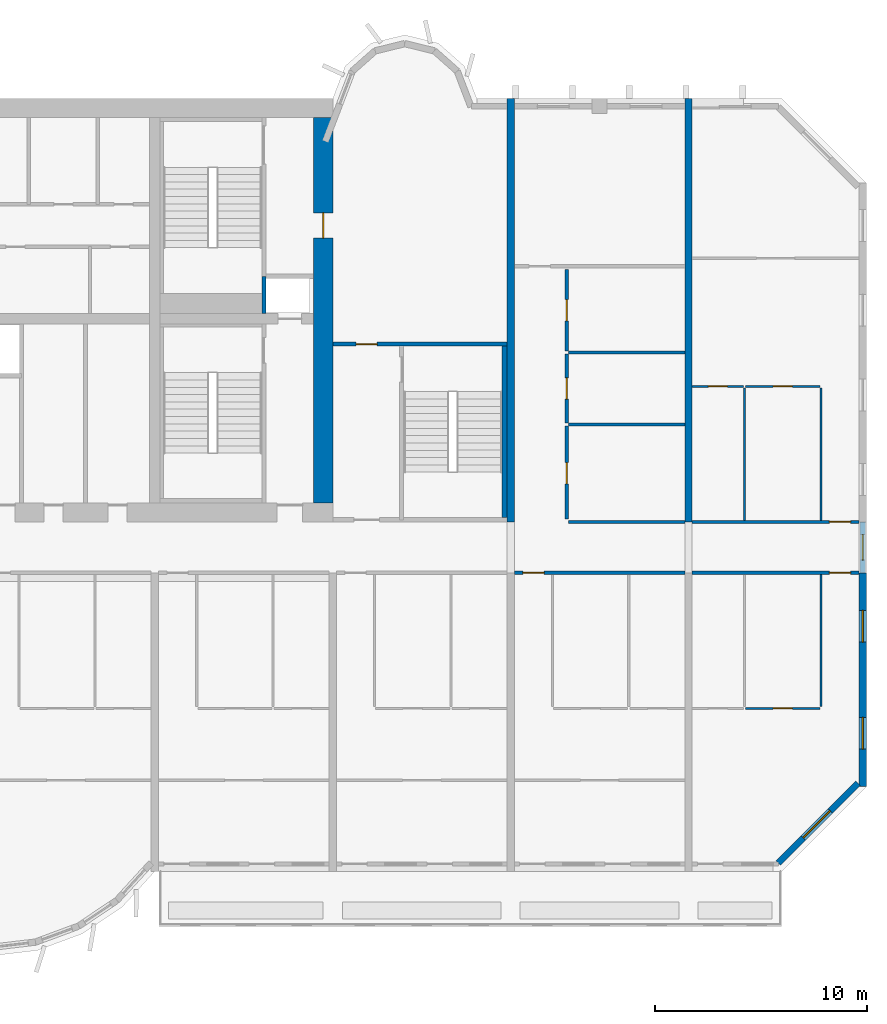
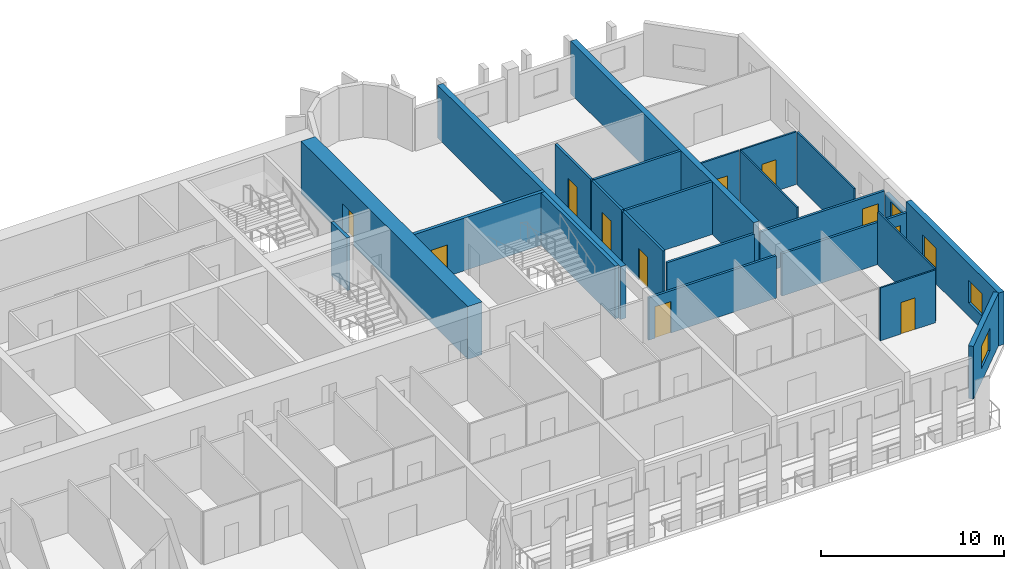
# One storey, part 10 of 15: 24 walls, 11 doors, 4 windows, 15 openings.
"""IFC4 building model written with IfcOpenShell, lengths in metres."""

from ifc_helpers import new_model, si_unit, direction, frame, frame_2d, origin, place, context, subcontext, project, spatial, rectangle, extrude, source, transform, mapped, material, layer, layer_set, type_object, element, fill, save


model = new_model("IFC4")

# Units and contexts
model_context = context("Model", 3, precision=1e-05, world=origin(), true_north=direction((0.0, 1.0)))
body_context = subcontext(model_context, "Body", "Model", "MODEL_VIEW")
ifc_project = project(units=[si_unit("LENGTHUNIT", "METRE"), si_unit("AREAUNIT", "SQUARE_METRE"), si_unit("VOLUMEUNIT", "CUBIC_METRE"), si_unit("PLANEANGLEUNIT", "RADIAN"), si_unit("MASSUNIT", "GRAM", prefix="KILO")], contexts=[model_context])

# Site, building, storey
site_placement = place(None, origin())
site = spatial("IfcSite", under=ifc_project, at=site_placement, CompositionType="ELEMENT")
building_placement = place(site_placement, origin())
building = spatial("IfcBuilding", under=site, at=building_placement, Name="Vanashikhar Sky Hotel", CompositionType="ELEMENT")
storey_placement = place(building_placement, frame((0.0, 0.0, 133.199951171875)))
storey = spatial("IfcBuildingStorey", under=building, at=storey_placement, Name="L32", CompositionType="ELEMENT", Elevation=133.199951171875)

# Wall, opening, door
ifc_material_1 = material(Name="Concrete M70", Category="concrete")
ifc_layer_1 = layer(ifc_material_1, 0.89990234375)
ifc_layer_set_1 = layer_set([ifc_layer_1], Name="RC core shell wall 900 Concrete M70")
wall_type_1 = type_object("IfcWallType", Name="RC core shell wall 900 Concrete M70", PredefinedType="SHEAR", material=ifc_layer_set_1)
shared_shape_1 = source(origin(), body_context, "Body", "SweptSolid", [
    extrude(rectangle(XDim=18.2001953125, YDim=0.89990234375, at=frame_2d((9.10009765625, 0.0))), origin(), (0.0, 0.0, 1.0), 3.52001953125),
])
wall_1_placement = place(storey_placement, frame((75.14990234375, 22.89990234375, 0.0), z_axis=(0.0, 0.0, 1.0), x_axis=(0.0, 1.0, 0.0)))
wall_1 = element("IfcWall", 1, at=wall_1_placement, inside=storey, type_object=wall_type_1, Name="KW-L32-KE", PredefinedType="SHEAR", context=body_context, shape_type="MappedRepresentation", body=[
    mapped(shared_shape_1, transform((0.0, 0.0, 0.0), scale=1.0)),
])
shared_shape_2 = source(origin(), body_context, "Body", "SweptSolid", [
    extrude(rectangle(XDim=1.199951171875, YDim=2.10009765625, at=frame_2d((0.60009765625, 1.050048828125))), frame((0.0, 0.4599609375, 0.0), z_axis=(0.0, -1.0, 0.0), x_axis=(1.0, 0.0, 0.0)), (0.0, 0.0, 1.0), 0.919921875),
])
opening_1_placement = place(wall_1_placement, frame((12.5, 0.0, 0.0)))
opening_1 = element("IfcOpeningElement", 2, at=opening_1_placement, cuts=wall_1, Name="Opening DC-4-D", PredefinedType="OPENING", context=body_context, shape_type="MappedRepresentation", body=[
    mapped(shared_shape_2, transform((0.0, 0.0, 0.0), scale=1.0)),
])
ifc_material_2 = material(Name="Steel", Category="steel")
door_type_1 = type_object("IfcDoorType", Name="Service door 1200 FD120", OperationType="NOTDEFINED", PredefinedType="DOOR", material=ifc_material_2)
shared_shape_3 = source(origin(), body_context, "Body", "SweptSolid", [
    extrude(rectangle(XDim=1.199951171875, YDim=2.10009765625, at=frame_2d((0.60009765625, 1.050048828125))), frame((0.0, 0.02490234375, 0.0), z_axis=(0.0, -1.0, 0.0), x_axis=(1.0, 0.0, 0.0)), (0.0, 0.0, 1.0), 0.050048828125),
])
door_1_placement = place(opening_1_placement, origin())
door_1 = element("IfcDoor", 3, at=door_1_placement, inside=storey, type_object=door_type_1, Name="Service door 1200 FD120", OperationType="SINGLE_SWING_RIGHT", OverallHeight=2.10009765625, OverallWidth=1.199951171875, PredefinedType="DOOR", context=body_context, shape_type="MappedRepresentation", body=[
    mapped(shared_shape_3, transform((0.0, 0.0, 0.0), scale=1.0)),
])
fill(opening_1, door_1)

# Wall, openings, windows
ifc_layer_2 = layer(ifc_material_1, 0.35009765625)
ifc_layer_set_2 = layer_set([ifc_layer_2], Name="RC shear wall 350 Concrete M70")
wall_type_2 = type_object("IfcWallType", Name="RC shear wall 350 Concrete M70", PredefinedType="SHEAR", material=ifc_layer_set_2)
shared_shape_4 = source(origin(), body_context, "Body", "SweptSolid", [
    extrude(rectangle(XDim=10.10009765625, YDim=0.35009765625, at=frame_2d((5.050048828125, 0.0))), origin(), (0.0, 0.0, 1.0), 3.52001953125),
])
wall_2_placement = place(storey_placement, frame((100.625, 9.5, 0.0), z_axis=(0.0, 0.0, 1.0), x_axis=(0.0, 1.0, 0.0)))
wall_2 = element("IfcWall", 4, at=wall_2_placement, inside=storey, type_object=wall_type_2, Name="CW-L32-XW13-1", PredefinedType="SHEAR", context=body_context, shape_type="MappedRepresentation", body=[
    mapped(shared_shape_4, transform((0.0, 0.0, 0.0), scale=1.0)),
])
shared_shape_5 = source(origin(), body_context, "Body", "SweptSolid", [
    extrude(rectangle(XDim=1.5, YDim=1.5, at=frame_2d((0.75, 0.75))), frame((0.0, 0.18505859375, 0.0), z_axis=(0.0, -1.0, 0.0), x_axis=(1.0, 0.0, 0.0)), (0.0, 0.0, 1.0), 0.3701171875),
])
opening_2_placement = place(wall_2_placement, frame((1.77490234375, 0.0, 0.89990234375)))
opening_2 = element("IfcOpeningElement", 5, at=opening_2_placement, cuts=wall_2, Name="Opening WN-1", PredefinedType="OPENING", context=body_context, shape_type="MappedRepresentation", body=[
    mapped(shared_shape_5, transform((0.0, 0.0, 0.0), scale=1.0)),
])
opening_3_placement = place(wall_2_placement, frame((6.824951171875, 0.0, 0.89990234375)))
opening_3 = element("IfcOpeningElement", 6, at=opening_3_placement, cuts=wall_2, Name="Opening WN-1", PredefinedType="OPENING", context=body_context, shape_type="MappedRepresentation", body=[
    mapped(shared_shape_5, transform((0.0, 0.0, 0.0), scale=1.0)),
])
ifc_material_3 = material(Name="Glass", Category="glass")
window_type_1 = type_object("IfcWindowType", Name="Window 1500 x 1500", PartitioningType="SINGLE_PANEL", PredefinedType="WINDOW", material=ifc_material_3)
shared_shape_6 = source(origin(), body_context, "Body", "SweptSolid", [
    extrude(rectangle(XDim=1.5, YDim=1.5, at=frame_2d((0.75, 0.75))), frame((0.0, 0.030029296875, 0.0), z_axis=(0.0, -1.0, 0.0), x_axis=(1.0, 0.0, 0.0)), (0.0, 0.0, 1.0), 0.06005859375),
])
window_1_placement = place(opening_2_placement, origin())
window_1 = element("IfcWindow", 7, at=window_1_placement, inside=storey, type_object=window_type_1, Name="Window WN-1", OverallHeight=1.5, OverallWidth=1.5, PartitioningType="SINGLE_PANEL", PredefinedType="WINDOW", context=body_context, shape_type="MappedRepresentation", body=[
    mapped(shared_shape_6, transform((0.0, 0.0, 0.0), scale=1.0)),
])
fill(opening_2, window_1)
window_2_placement = place(opening_3_placement, origin())
window_2 = element("IfcWindow", 8, at=window_2_placement, inside=storey, type_object=window_type_1, Name="Window WN-1", OverallHeight=1.5, OverallWidth=1.5, PartitioningType="SINGLE_PANEL", PredefinedType="WINDOW", context=body_context, shape_type="MappedRepresentation", body=[
    mapped(shared_shape_6, transform((0.0, 0.0, 0.0), scale=1.0)),
])
fill(opening_3, window_2)

# Walls
shared_shape_7 = source(origin(), body_context, "Body", "SweptSolid", [
    extrude(rectangle(XDim=20.0, YDim=0.35009765625, at=frame_2d((10.0, 0.0))), origin(), (0.0, 0.0, 1.0), 3.52001953125),
])
for number, where, z_axis, x_axis, name in (
    (9, (84.0, 22.0, 0.0), (0.0, 0.0, 1.0), (0.0, 1.0, 0.0), "CW-L32-XW11-2"),
    (10, (92.39990234375, 22.0, 0.0), (0.0, 0.0, 1.0), (0.0, 1.0, 0.0), "CW-L32-XW12-2"),
):
    element("IfcWall", number, at=place(storey_placement, frame(where, z_axis=z_axis, x_axis=x_axis)), inside=storey, type_object=wall_type_2, Name=name, PredefinedType="SHEAR", context=body_context, shape_type="MappedRepresentation", body=[
        mapped(shared_shape_7, transform((0.0, 0.0, 0.0), scale=1.0)),
    ])

# Wall, opening, window
ifc_material_4 = material(Name="Concrete M50", Category="concrete")
ifc_layer_3 = layer(ifc_material_4, 0.300048828125)
ifc_layer_set_3 = layer_set([ifc_layer_3], Name="Lobe wall 300")
wall_type_3 = type_object("IfcWallType", Name="Lobe wall 300", PredefinedType="SOLIDWALL", material=ifc_layer_set_3)
shared_shape_8 = source(origin(), body_context, "Body", "SweptSolid", [
    extrude(rectangle(XDim=5.32568359375, YDim=0.300048828125, at=frame_2d((2.662841796875, 0.0))), origin(), (0.0, 0.0, 1.0), 3.52001953125),
])
wall_3_placement = place(storey_placement, frame((96.63427734375, 5.89990234375, 0.0), z_axis=(0.0, 0.0, 1.0), x_axis=(0.707083859269, 0.707129702361, 0.0)))
wall_3 = element("IfcWall", 11, at=wall_3_placement, inside=storey, type_object=wall_type_3, Name="Corner wall", PredefinedType="SOLIDWALL", context=body_context, shape_type="MappedRepresentation", body=[
    mapped(shared_shape_8, transform((0.0, 0.0, 0.0), scale=1.0)),
])
shared_shape_9 = source(origin(), body_context, "Body", "SweptSolid", [
    extrude(rectangle(XDim=1.800048828125, YDim=1.5, at=frame_2d((0.89990234375, 0.75))), frame((0.0, 0.16015625, 0.0), z_axis=(0.0, -1.0, 0.0), x_axis=(1.0, 0.0, 0.0)), (0.0, 0.0, 1.0), 0.320068359375),
])
opening_4_placement = place(wall_3_placement, frame((1.671875, 0.0, 0.89990234375)))
opening_4 = element("IfcOpeningElement", 12, at=opening_4_placement, cuts=wall_3, Name="Opening WN-4", PredefinedType="OPENING", context=body_context, shape_type="MappedRepresentation", body=[
    mapped(shared_shape_9, transform((0.0, 0.0, 0.0), scale=1.0)),
])
window_type_2 = type_object("IfcWindowType", Name="Corner window 1800 x 1500", PartitioningType="SINGLE_PANEL", PredefinedType="WINDOW", material=ifc_material_3)
shared_shape_10 = source(origin(), body_context, "Body", "SweptSolid", [
    extrude(rectangle(XDim=1.800048828125, YDim=1.5, at=frame_2d((0.89990234375, 0.75))), frame((0.0, 0.030029296875, 0.0), z_axis=(0.0, -1.0, 0.0), x_axis=(1.0, 0.0, 0.0)), (0.0, 0.0, 1.0), 0.06005859375),
])
window_3_placement = place(opening_4_placement, origin())
window_3 = element("IfcWindow", 13, at=window_3_placement, inside=storey, type_object=window_type_2, Name="Window WN-4", OverallHeight=1.5, OverallWidth=1.800048828125, PartitioningType="SINGLE_PANEL", PredefinedType="WINDOW", context=body_context, shape_type="MappedRepresentation", body=[
    mapped(shared_shape_10, transform((0.0, 0.0, 0.0), scale=1.0)),
])
fill(opening_4, window_3)

ifc_layer_4 = layer(ifc_material_4, 0.25)
ifc_layer_set_4 = layer_set([ifc_layer_4], Name="Rear and end board-marked wall 250")
wall_type_4 = type_object("IfcWallType", Name="Rear and end board-marked wall 250", PredefinedType="SOLIDWALL", material=ifc_layer_set_4)
shared_shape_11 = source(origin(), body_context, "Body", "SweptSolid", [
    extrude(rectangle(XDim=2.39990234375, YDim=0.25, at=frame_2d((1.199951171875, 0.0))), origin(), (0.0, 0.0, 1.0), 2.6201171875),
])
wall_4_placement = place(storey_placement, frame((100.625, 19.60009765625, 0.0), z_axis=(0.0, 0.0, 1.0), x_axis=(0.0, 1.0, 0.0)))
wall_4 = element("IfcWall", 14, at=wall_4_placement, inside=storey, type_object=wall_type_4, Name="End corridor infill wall", PredefinedType="SOLIDWALL", context=body_context, shape_type="MappedRepresentation", body=[
    mapped(shared_shape_11, transform((0.0, 0.0, 0.0), scale=1.0)),
])
shared_shape_12 = source(origin(), body_context, "Body", "SweptSolid", [
    extrude(rectangle(XDim=1.199951171875, YDim=1.5, at=frame_2d((0.60009765625, 0.75))), frame((0.0, 0.135009765625, 0.0), z_axis=(0.0, -1.0, 0.0), x_axis=(1.0, 0.0, 0.0)), (0.0, 0.0, 1.0), 0.27001953125),
])
opening_5_placement = place(wall_4_placement, frame((0.60009765625, 0.0, 0.89990234375)))
opening_5 = element("IfcOpeningElement", 15, at=opening_5_placement, cuts=wall_4, Name="Opening WN-3", PredefinedType="OPENING", context=body_context, shape_type="MappedRepresentation", body=[
    mapped(shared_shape_12, transform((0.0, 0.0, 0.0), scale=1.0)),
])
window_type_3 = type_object("IfcWindowType", Name="Corridor end window 1200 x 1500", PartitioningType="SINGLE_PANEL", PredefinedType="WINDOW", material=ifc_material_3)
shared_shape_13 = source(origin(), body_context, "Body", "SweptSolid", [
    extrude(rectangle(XDim=1.199951171875, YDim=1.5, at=frame_2d((0.60009765625, 0.75))), frame((0.0, 0.030029296875, 0.0), z_axis=(0.0, -1.0, 0.0), x_axis=(1.0, 0.0, 0.0)), (0.0, 0.0, 1.0), 0.06005859375),
])
window_4_placement = place(opening_5_placement, origin())
window_4 = element("IfcWindow", 16, at=window_4_placement, inside=storey, type_object=window_type_3, Name="Window WN-3", OverallHeight=1.5, OverallWidth=1.199951171875, PartitioningType="SINGLE_PANEL", PredefinedType="WINDOW", context=body_context, shape_type="MappedRepresentation", body=[
    mapped(shared_shape_13, transform((0.0, 0.0, 0.0), scale=1.0)),
])
fill(opening_5, window_4)

# Wall
ifc_material_5 = material(Name="Concrete M40", Category="concrete")
ifc_layer_5 = layer(ifc_material_5, 0.199951171875)
ifc_layer_set_5 = layer_set([ifc_layer_5], Name="Shaft wall 200")
wall_type_5 = type_object("IfcWallType", Name="Shaft wall 200", PredefinedType="SOLIDWALL", material=ifc_layer_set_5)
shared_shape_14 = source(origin(), body_context, "Body", "SweptSolid", [
    extrude(rectangle(XDim=1.75, YDim=0.199951171875, at=frame_2d((0.875, 0.0))), origin(), (0.0, 0.0, 1.0), 3.52001953125),
])
wall_5_placement = place(storey_placement, frame((72.35009765625, 31.85009765625, 0.0), z_axis=(0.0, 0.0, 1.0), x_axis=(0.0, 1.0, 0.0)))
element("IfcWall", 17, at=wall_5_placement, inside=storey, type_object=wall_type_5, Name="Shaft wall 200", PredefinedType="SOLIDWALL", context=body_context, shape_type="MappedRepresentation", body=[
    mapped(shared_shape_14, transform((0.0, 0.0, 0.0), scale=1.0)),
])

# Wall, opening, door
ifc_layer_6 = layer(ifc_material_4, 0.199951171875)
ifc_layer_set_6 = layer_set([ifc_layer_6], Name="Stair wall 200")
wall_type_6 = type_object("IfcWallType", Name="Stair wall 200", PredefinedType="SOLIDWALL", material=ifc_layer_set_6)
shared_shape_15 = source(origin(), body_context, "Body", "SweptSolid", [
    extrude(rectangle(XDim=8.224853515625, YDim=0.199951171875, at=frame_2d((4.1123046875, 0.0))), origin(), (0.0, 0.0, 1.0), 3.52001953125),
])
wall_6_placement = place(storey_placement, frame((83.824951171875, 30.39990234375, 0.0), z_axis=(0.0, 0.0, 1.0), x_axis=(-1.0, 0.0, 0.0)))
wall_6 = element("IfcWall", 18, at=wall_6_placement, inside=storey, type_object=wall_type_6, Name="Stair wall 200", PredefinedType="SOLIDWALL", context=body_context, shape_type="MappedRepresentation", body=[
    mapped(shared_shape_15, transform((0.0, 0.0, 0.0), scale=1.0)),
])
shared_shape_16 = source(origin(), body_context, "Body", "SweptSolid", [
    extrude(rectangle(XDim=1.0, YDim=2.10009765625, at=frame_2d((0.5, 1.050048828125))), frame((0.0, 0.10986328125, 0.0), z_axis=(0.0, -1.0, 0.0), x_axis=(1.0, 0.0, 0.0)), (0.0, 0.0, 1.0), 0.219970703125),
])
opening_6_placement = place(wall_6_placement, frame((6.125, 0.0, 0.0)))
opening_6 = element("IfcOpeningElement", 19, at=opening_6_placement, cuts=wall_6, Name="Opening DC-6", PredefinedType="OPENING", context=body_context, shape_type="MappedRepresentation", body=[
    mapped(shared_shape_16, transform((0.0, 0.0, 0.0), scale=1.0)),
])
door_type_2 = type_object("IfcDoorType", Name="Pocket door 1000 FD60", OperationType="NOTDEFINED", PredefinedType="DOOR", material=ifc_material_2)
shared_shape_17 = source(origin(), body_context, "Body", "SweptSolid", [
    extrude(rectangle(XDim=1.0, YDim=2.10009765625, at=frame_2d((0.5, 1.050048828125))), frame((0.0, 0.02490234375, 0.0), z_axis=(0.0, -1.0, 0.0), x_axis=(1.0, 0.0, 0.0)), (0.0, 0.0, 1.0), 0.050048828125),
])
door_2_placement = place(opening_6_placement, origin())
door_2 = element("IfcDoor", 20, at=door_2_placement, inside=storey, type_object=door_type_2, Name="Pocket door 1000 FD60", OperationType="SINGLE_SWING_RIGHT", OverallHeight=2.10009765625, OverallWidth=1.0, PredefinedType="DOOR", context=body_context, shape_type="MappedRepresentation", body=[
    mapped(shared_shape_17, transform((0.0, 0.0, 0.0), scale=1.0)),
])
fill(opening_6, door_2)

# Wall
ifc_layer_7 = layer(ifc_material_4, 0.22509765625)
ifc_layer_set_7 = layer_set([ifc_layer_7], Name="Stair infill wall 225")
wall_type_7 = type_object("IfcWallType", Name="Stair infill wall 225", PredefinedType="SOLIDWALL", material=ifc_layer_set_7)
shared_shape_18 = source(origin(), body_context, "Body", "SweptSolid", [
    extrude(rectangle(XDim=8.10009765625, YDim=0.22509765625, at=frame_2d((4.050048828125, 0.0))), origin(), (0.0, 0.0, 1.0), 3.52001953125),
])
wall_7_placement = place(storey_placement, frame((83.712890625, 22.199951171875, 0.0), z_axis=(0.0, 0.0, 1.0), x_axis=(0.0, 1.0, 0.0)))
element("IfcWall", 21, at=wall_7_placement, inside=storey, type_object=wall_type_7, Name="Stair infill wall 225", PredefinedType="SOLIDWALL", context=body_context, shape_type="MappedRepresentation", body=[
    mapped(shared_shape_18, transform((0.0, 0.0, 0.0), scale=1.0)),
])

# Wall, opening, door
ifc_material_6 = material(Name="Gypsum plasterboard partition")
ifc_layer_8 = layer(ifc_material_6, 0.14990234375)
ifc_layer_set_8 = layer_set([ifc_layer_8], Name="Corridor and demising partition 150")
wall_type_8 = type_object("IfcWallType", Name="Corridor and demising partition 150", PredefinedType="PARTITIONING", material=ifc_layer_set_8)
shared_shape_19 = source(origin(), body_context, "Body", "SweptSolid", [
    extrude(rectangle(XDim=4.375, YDim=0.14990234375, at=frame_2d((2.1875, 0.0))), origin(), (0.0, 0.0, 1.0), 3.52001953125),
])
wall_8_placement = place(storey_placement, frame((86.64990234375, 22.14990234375, 0.0), z_axis=(0.0, 0.0, 1.0), x_axis=(0.0, 1.0, 0.0)))
wall_8 = element("IfcWall", 22, at=wall_8_placement, inside=storey, type_object=wall_type_8, Name="W-L32-PW086", PredefinedType="PARTITIONING", context=body_context, shape_type="MappedRepresentation", body=[
    mapped(shared_shape_19, transform((0.0, 0.0, 0.0), scale=1.0)),
])
shared_shape_20 = source(origin(), body_context, "Body", "SweptSolid", [
    extrude(rectangle(XDim=1.0, YDim=2.10009765625, at=frame_2d((0.5, 1.050048828125))), frame((0.0, 0.0849609375, 0.0), z_axis=(0.0, -1.0, 0.0), x_axis=(1.0, 0.0, 0.0)), (0.0, 0.0, 1.0), 0.169921875),
])
opening_7_placement = place(wall_8_placement, frame((1.64990234375, 0.0, 0.0)))
opening_7 = element("IfcOpeningElement", 23, at=opening_7_placement, cuts=wall_8, Name="Opening D-01", PredefinedType="OPENING", context=body_context, shape_type="MappedRepresentation", body=[
    mapped(shared_shape_20, transform((0.0, 0.0, 0.0), scale=1.0)),
])
ifc_material_7 = material(Name="Timber fire door", Category="wood")
door_type_3 = type_object("IfcDoorType", Name="Guest entry door 1000 FD30S", OperationType="NOTDEFINED", PredefinedType="DOOR", material=ifc_material_7)
door_3_placement = place(opening_7_placement, origin())
door_3 = element("IfcDoor", 24, at=door_3_placement, inside=storey, type_object=door_type_3, Name="D-L32-053", OperationType="SINGLE_SWING_LEFT", OverallHeight=2.10009765625, OverallWidth=1.0, PredefinedType="DOOR", context=body_context, shape_type="MappedRepresentation", body=[
    mapped(shared_shape_17, transform((0.0, 0.0, 0.0), scale=1.0)),
])
fill(opening_7, door_3)

shared_shape_21 = source(origin(), body_context, "Body", "SweptSolid", [
    extrude(rectangle(XDim=3.25, YDim=0.14990234375, at=frame_2d((1.625, 0.0))), origin(), (0.0, 0.0, 1.0), 3.52001953125),
])
wall_9_placement = place(storey_placement, frame((86.64990234375, 26.675048828125, 0.0), z_axis=(0.0, 0.0, 1.0), x_axis=(0.0, 1.0, 0.0)))
wall_9 = element("IfcWall", 25, at=wall_9_placement, inside=storey, type_object=wall_type_8, Name="W-L32-PW088", PredefinedType="PARTITIONING", context=body_context, shape_type="MappedRepresentation", body=[
    mapped(shared_shape_21, transform((0.0, 0.0, 0.0), scale=1.0)),
])
opening_8_placement = place(wall_9_placement, frame((1.125, 0.0, 0.0)))
opening_8 = element("IfcOpeningElement", 26, at=opening_8_placement, cuts=wall_9, Name="Opening D-01", PredefinedType="OPENING", context=body_context, shape_type="MappedRepresentation", body=[
    mapped(shared_shape_20, transform((0.0, 0.0, 0.0), scale=1.0)),
])
door_4_placement = place(opening_8_placement, origin())
door_4 = element("IfcDoor", 27, at=door_4_placement, inside=storey, type_object=door_type_3, Name="D-L32-054", OperationType="SINGLE_SWING_LEFT", OverallHeight=2.10009765625, OverallWidth=1.0, PredefinedType="DOOR", context=body_context, shape_type="MappedRepresentation", body=[
    mapped(shared_shape_17, transform((0.0, 0.0, 0.0), scale=1.0)),
])
fill(opening_8, door_4)

shared_shape_22 = source(origin(), body_context, "Body", "SweptSolid", [
    extrude(rectangle(XDim=3.85009765625, YDim=0.14990234375, at=frame_2d((1.925048828125, 0.0))), origin(), (0.0, 0.0, 1.0), 3.52001953125),
])
wall_10_placement = place(storey_placement, frame((86.64990234375, 30.074951171875, 0.0), z_axis=(0.0, 0.0, 1.0), x_axis=(0.0, 1.0, 0.0)))
wall_10 = element("IfcWall", 28, at=wall_10_placement, inside=storey, type_object=wall_type_8, Name="W-L32-PW090", PredefinedType="PARTITIONING", context=body_context, shape_type="MappedRepresentation", body=[
    mapped(shared_shape_22, transform((0.0, 0.0, 0.0), scale=1.0)),
])
opening_9_placement = place(wall_10_placement, frame((1.425048828125, 0.0, 0.0)))
opening_9 = element("IfcOpeningElement", 29, at=opening_9_placement, cuts=wall_10, Name="Opening D-01", PredefinedType="OPENING", context=body_context, shape_type="MappedRepresentation", body=[
    mapped(shared_shape_20, transform((0.0, 0.0, 0.0), scale=1.0)),
])
door_5_placement = place(opening_9_placement, origin())
door_5 = element("IfcDoor", 30, at=door_5_placement, inside=storey, type_object=door_type_3, Name="D-L32-055", OperationType="SINGLE_SWING_LEFT", OverallHeight=2.10009765625, OverallWidth=1.0, PredefinedType="DOOR", context=body_context, shape_type="MappedRepresentation", body=[
    mapped(shared_shape_17, transform((0.0, 0.0, 0.0), scale=1.0)),
])
fill(opening_9, door_5)

ifc_layer_9 = layer(ifc_material_6, 0.10009765625)
ifc_layer_set_9 = layer_set([ifc_layer_9], Name="Wet room partition 100")
wall_type_9 = type_object("IfcWallType", Name="Wet room partition 100", PredefinedType="PARTITIONING", material=ifc_layer_set_9)
shared_shape_23 = source(origin(), body_context, "Body", "SweptSolid", [
    extrude(rectangle(XDim=3.5, YDim=0.10009765625, at=frame_2d((1.75, 0.0))), origin(), (0.0, 0.0, 1.0), 3.52001953125),
])
wall_11_placement = place(storey_placement, frame((95.10009765625, 13.199951171875, 0.0), z_axis=(0.0, 0.0, 1.0), x_axis=(1.0, 0.0, 0.0)))
wall_11 = element("IfcWall", 31, at=wall_11_placement, inside=storey, type_object=wall_type_9, Name="W-L32-PW067", PredefinedType="PARTITIONING", context=body_context, shape_type="MappedRepresentation", body=[
    mapped(shared_shape_23, transform((0.0, 0.0, 0.0), scale=1.0)),
])
shared_shape_24 = source(origin(), body_context, "Body", "SweptSolid", [
    extrude(rectangle(XDim=0.89990234375, YDim=2.10009765625, at=frame_2d((0.449951171875, 1.050048828125))), frame((0.0, 0.06005859375, 0.0), z_axis=(0.0, -1.0, 0.0), x_axis=(1.0, 0.0, 0.0)), (0.0, 0.0, 1.0), 0.1201171875),
])
opening_10_placement = place(wall_11_placement, frame((1.300048828125, 0.0, 0.0)))
opening_10 = element("IfcOpeningElement", 32, at=opening_10_placement, cuts=wall_11, Name="Opening D-02", PredefinedType="OPENING", context=body_context, shape_type="MappedRepresentation", body=[
    mapped(shared_shape_24, transform((0.0, 0.0, 0.0), scale=1.0)),
])
ifc_material_8 = material(Name="Timber door", Category="wood")
door_type_4 = type_object("IfcDoorType", Name="Internal door 900", OperationType="NOTDEFINED", PredefinedType="DOOR", material=ifc_material_8)
shared_shape_25 = source(origin(), body_context, "Body", "SweptSolid", [
    extrude(rectangle(XDim=0.89990234375, YDim=2.10009765625, at=frame_2d((0.449951171875, 1.050048828125))), frame((0.0, 0.02490234375, 0.0), z_axis=(0.0, -1.0, 0.0), x_axis=(1.0, 0.0, 0.0)), (0.0, 0.0, 1.0), 0.050048828125),
])
door_6_placement = place(opening_10_placement, origin())
door_6 = element("IfcDoor", 33, at=door_6_placement, inside=storey, type_object=door_type_4, Name="D-L32-042", OperationType="SINGLE_SWING_RIGHT", OverallHeight=2.10009765625, OverallWidth=0.89990234375, PredefinedType="DOOR", context=body_context, shape_type="MappedRepresentation", body=[
    mapped(shared_shape_25, transform((0.0, 0.0, 0.0), scale=1.0)),
])
fill(opening_10, door_6)

wall_12_placement = place(storey_placement, frame((95.10009765625, 28.39990234375, 0.0), z_axis=(0.0, 0.0, 1.0), x_axis=(1.0, 0.0, 0.0)))
wall_12 = element("IfcWall", 34, at=wall_12_placement, inside=storey, type_object=wall_type_9, Name="W-L32-PW094", PredefinedType="PARTITIONING", context=body_context, shape_type="MappedRepresentation", body=[
    mapped(shared_shape_23, transform((0.0, 0.0, 0.0), scale=1.0)),
])
opening_11_placement = place(wall_12_placement, frame((1.300048828125, 0.0, 0.0)))
opening_11 = element("IfcOpeningElement", 35, at=opening_11_placement, cuts=wall_12, Name="Opening D-02", PredefinedType="OPENING", context=body_context, shape_type="MappedRepresentation", body=[
    mapped(shared_shape_24, transform((0.0, 0.0, 0.0), scale=1.0)),
])
door_7_placement = place(opening_11_placement, origin())
door_7 = element("IfcDoor", 36, at=door_7_placement, inside=storey, type_object=door_type_4, Name="D-L32-057", OperationType="SINGLE_SWING_RIGHT", OverallHeight=2.10009765625, OverallWidth=0.89990234375, PredefinedType="DOOR", context=body_context, shape_type="MappedRepresentation", body=[
    mapped(shared_shape_25, transform((0.0, 0.0, 0.0), scale=1.0)),
])
fill(opening_11, door_7)

# Walls
shared_shape_26 = source(origin(), body_context, "Body", "SweptSolid", [
    extrude(rectangle(XDim=6.25, YDim=0.10009765625, at=frame_2d((3.125, 0.0))), origin(), (0.0, 0.0, 1.0), 3.52001953125),
])
for number, where, z_axis, x_axis, name in (
    (37, (98.64990234375, 13.27490234375, 0.0), (0.0, 0.0, 1.0), (0.0, 1.0, 0.0), "W-L32-PW065"),
    (38, (98.64990234375, 22.074951171875, 0.0), (0.0, 0.0, 1.0), (0.0, 1.0, 0.0), "W-L32-PW092"),
    (39, (95.050048828125, 22.074951171875, 0.0), (0.0, 0.0, 1.0), (0.0, 1.0, 0.0), "W-L32-PW093"),
):
    element("IfcWall", number, at=place(storey_placement, frame(where, z_axis=z_axis, x_axis=x_axis)), inside=storey, type_object=wall_type_9, Name=name, PredefinedType="PARTITIONING", context=body_context, shape_type="MappedRepresentation", body=[
        mapped(shared_shape_26, transform((0.0, 0.0, 0.0), scale=1.0)),
    ])

# Wall, opening, door
shared_shape_27 = source(origin(), body_context, "Body", "SweptSolid", [
    extrude(rectangle(XDim=8.050048828125, YDim=0.14990234375, at=frame_2d((4.02490234375, 0.0))), origin(), (0.0, 0.0, 1.0), 2.820068359375),
])
wall_13_placement = place(storey_placement, frame((84.175048828125, 19.60009765625, 0.0), z_axis=(0.0, 0.0, 1.0), x_axis=(1.0, 0.0, 0.0)))
wall_13 = element("IfcWall", 40, at=wall_13_placement, inside=storey, type_object=wall_type_8, Name="W-L32-PW064", PredefinedType="PARTITIONING", context=body_context, shape_type="MappedRepresentation", body=[
    mapped(shared_shape_27, transform((0.0, 0.0, 0.0), scale=1.0)),
])
opening_12_placement = place(wall_13_placement, frame((0.39990234375, 0.0, 0.0)))
opening_12 = element("IfcOpeningElement", 41, at=opening_12_placement, cuts=wall_13, Name="Opening D-01", PredefinedType="OPENING", context=body_context, shape_type="MappedRepresentation", body=[
    mapped(shared_shape_20, transform((0.0, 0.0, 0.0), scale=1.0)),
])
door_8_placement = place(opening_12_placement, origin())
door_8 = element("IfcDoor", 42, at=door_8_placement, inside=storey, type_object=door_type_3, Name="D-L32-041", OperationType="SINGLE_SWING_LEFT", OverallHeight=2.10009765625, OverallWidth=1.0, PredefinedType="DOOR", context=body_context, shape_type="MappedRepresentation", body=[
    mapped(shared_shape_17, transform((0.0, 0.0, 0.0), scale=1.0)),
])
fill(opening_12, door_8)

# Walls
shared_shape_28 = source(origin(), body_context, "Body", "SweptSolid", [
    extrude(rectangle(XDim=5.5, YDim=0.14990234375, at=frame_2d((2.75, 0.0))), origin(), (0.0, 0.0, 1.0), 2.820068359375),
])
wall_14_placement = place(storey_placement, frame((86.72509765625, 22.0, 0.0), z_axis=(0.0, 0.0, 1.0), x_axis=(1.0, 0.0, 0.0)))
element("IfcWall", 43, at=wall_14_placement, inside=storey, type_object=wall_type_8, Name="W-L32-PW085", PredefinedType="PARTITIONING", context=body_context, shape_type="MappedRepresentation", body=[
    mapped(shared_shape_28, transform((0.0, 0.0, 0.0), scale=1.0)),
])
shared_shape_29 = source(origin(), body_context, "Body", "SweptSolid", [
    extrude(rectangle(XDim=5.5, YDim=0.14990234375, at=frame_2d((2.75, 0.0))), origin(), (0.0, 0.0, 1.0), 3.52001953125),
])
for number, where, z_axis, x_axis, name in (
    (44, (86.72509765625, 26.60009765625, 0.0), (0.0, 0.0, 1.0), (1.0, 0.0, 0.0), "W-L32-PW087"),
    (45, (86.72509765625, 30.0, 0.0), (0.0, 0.0, 1.0), (1.0, 0.0, 0.0), "W-L32-PW089"),
):
    element("IfcWall", number, at=place(storey_placement, frame(where, z_axis=z_axis, x_axis=x_axis)), inside=storey, type_object=wall_type_8, Name=name, PredefinedType="PARTITIONING", context=body_context, shape_type="MappedRepresentation", body=[
        mapped(shared_shape_29, transform((0.0, 0.0, 0.0), scale=1.0)),
    ])

# Wall, opening, door
shared_shape_30 = source(origin(), body_context, "Body", "SweptSolid", [
    extrude(rectangle(XDim=7.875, YDim=0.14990234375, at=frame_2d((3.9375, 0.0))), origin(), (0.0, 0.0, 1.0), 2.820068359375),
])
wall_15_placement = place(storey_placement, frame((92.574951171875, 19.60009765625, 0.0), z_axis=(0.0, 0.0, 1.0), x_axis=(1.0, 0.0, 0.0)))
wall_15 = element("IfcWall", 46, at=wall_15_placement, inside=storey, type_object=wall_type_8, Name="W-L32-PW069", PredefinedType="PARTITIONING", context=body_context, shape_type="MappedRepresentation", body=[
    mapped(shared_shape_30, transform((0.0, 0.0, 0.0), scale=1.0)),
])
opening_13_placement = place(wall_15_placement, frame((6.47509765625, 0.0, 0.0)))
opening_13 = element("IfcOpeningElement", 47, at=opening_13_placement, cuts=wall_15, Name="Opening D-01", PredefinedType="OPENING", context=body_context, shape_type="MappedRepresentation", body=[
    mapped(shared_shape_20, transform((0.0, 0.0, 0.0), scale=1.0)),
])
door_9_placement = place(opening_13_placement, origin())
door_9 = element("IfcDoor", 48, at=door_9_placement, inside=storey, type_object=door_type_3, Name="D-L32-044", OperationType="SINGLE_SWING_RIGHT", OverallHeight=2.10009765625, OverallWidth=1.0, PredefinedType="DOOR", context=body_context, shape_type="MappedRepresentation", body=[
    mapped(shared_shape_17, transform((0.0, 0.0, 0.0), scale=1.0)),
])
fill(opening_13, door_9)

wall_16_placement = place(storey_placement, frame((92.574951171875, 22.0, 0.0), z_axis=(0.0, 0.0, 1.0), x_axis=(1.0, 0.0, 0.0)))
wall_16 = element("IfcWall", 49, at=wall_16_placement, inside=storey, type_object=wall_type_8, Name="W-L32-PW097", PredefinedType="PARTITIONING", context=body_context, shape_type="MappedRepresentation", body=[
    mapped(shared_shape_30, transform((0.0, 0.0, 0.0), scale=1.0)),
])
opening_14_placement = place(wall_16_placement, frame((6.47509765625, 0.0, 0.0)))
opening_14 = element("IfcOpeningElement", 50, at=opening_14_placement, cuts=wall_16, Name="Opening D-01", PredefinedType="OPENING", context=body_context, shape_type="MappedRepresentation", body=[
    mapped(shared_shape_20, transform((0.0, 0.0, 0.0), scale=1.0)),
])
door_10_placement = place(opening_14_placement, origin())
door_10 = element("IfcDoor", 51, at=door_10_placement, inside=storey, type_object=door_type_3, Name="D-L32-060", OperationType="SINGLE_SWING_RIGHT", OverallHeight=2.10009765625, OverallWidth=1.0, PredefinedType="DOOR", context=body_context, shape_type="MappedRepresentation", body=[
    mapped(shared_shape_17, transform((0.0, 0.0, 0.0), scale=1.0)),
])
fill(opening_14, door_10)

shared_shape_31 = source(origin(), body_context, "Body", "SweptSolid", [
    extrude(rectangle(XDim=2.425048828125, YDim=0.10009765625, at=frame_2d((1.21240234375, 0.0))), origin(), (0.0, 0.0, 1.0), 3.52001953125),
])
wall_17_placement = place(storey_placement, frame((92.574951171875, 28.39990234375, 0.0), z_axis=(0.0, 0.0, 1.0), x_axis=(1.0, 0.0, 0.0)))
wall_17 = element("IfcWall", 52, at=wall_17_placement, inside=storey, type_object=wall_type_9, Name="W-L32-PW095", PredefinedType="PARTITIONING", context=body_context, shape_type="MappedRepresentation", body=[
    mapped(shared_shape_31, transform((0.0, 0.0, 0.0), scale=1.0)),
])
opening_15_placement = place(wall_17_placement, frame((0.762939453125, 0.0, 0.0)))
opening_15 = element("IfcOpeningElement", 53, at=opening_15_placement, cuts=wall_17, Name="Opening D-02", PredefinedType="OPENING", context=body_context, shape_type="MappedRepresentation", body=[
    mapped(shared_shape_24, transform((0.0, 0.0, 0.0), scale=1.0)),
])
door_11_placement = place(opening_15_placement, origin())
door_11 = element("IfcDoor", 54, at=door_11_placement, inside=storey, type_object=door_type_4, Name="D-L32-058", OperationType="SINGLE_SWING_RIGHT", OverallHeight=2.10009765625, OverallWidth=0.89990234375, PredefinedType="DOOR", context=body_context, shape_type="MappedRepresentation", body=[
    mapped(shared_shape_25, transform((0.0, 0.0, 0.0), scale=1.0)),
])
fill(opening_15, door_11)

save(model, "model.ifc")
